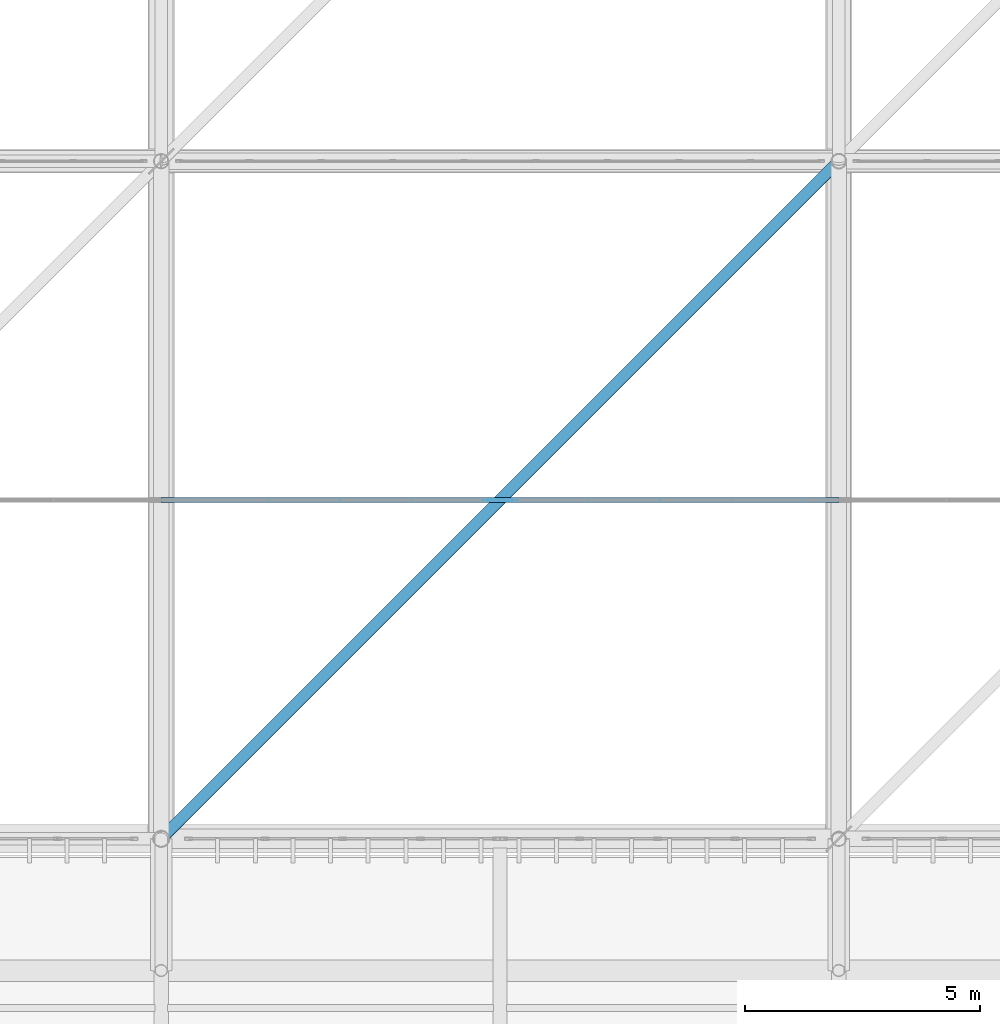
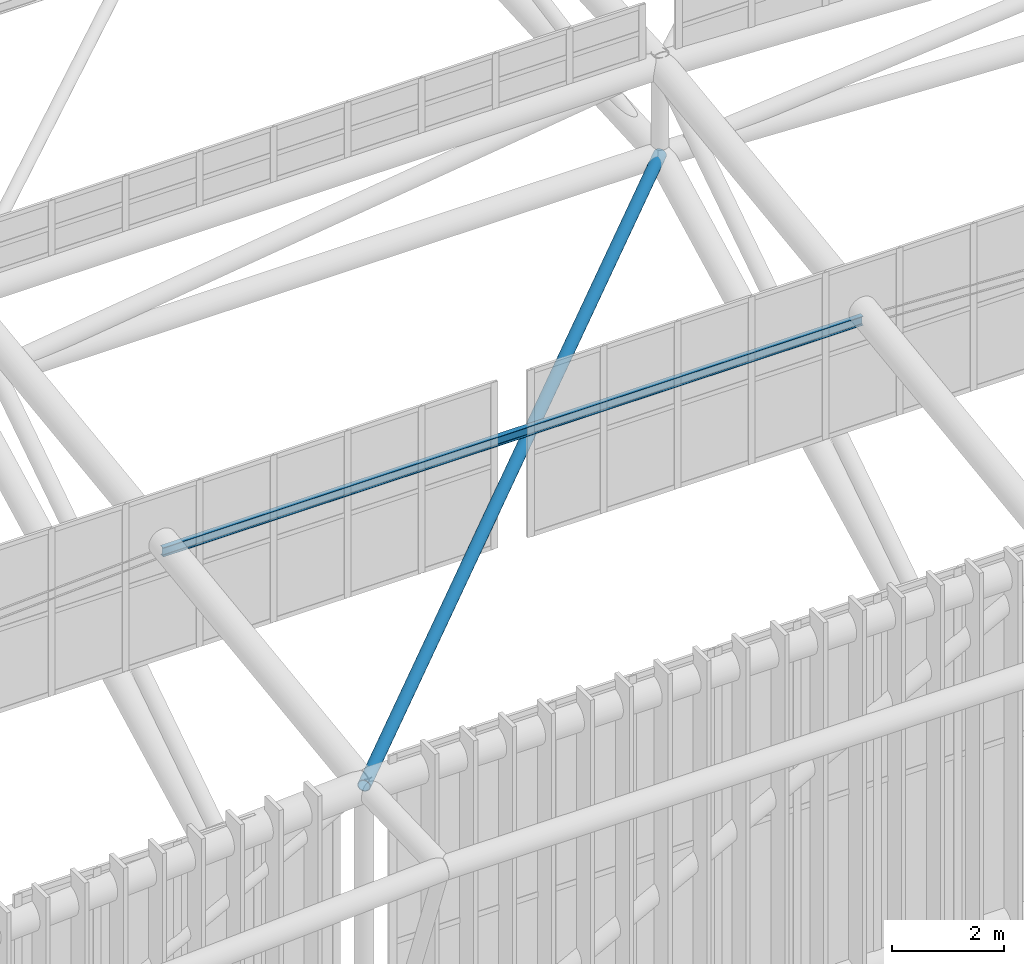
# One storey, part 88 of 397: 2 members.
"""IFC4 building model written with IfcOpenShell, lengths in metres."""

import ifcopenshell
import ifcopenshell.guid

model = None  # the IFC model being written
_history = None  # IfcOwnerHistory: only IFC2X3 demands one
_inside = {}  # id of a spatial element -> (the spatial element, [elements in it])
_under = {}  # id of a project, library or spatial element -> (it, [spatial elements below it])
_declared = {}  # id of a project -> (the project, [libraries it declares])
_typed = {}  # id of a type object -> (the type object, [elements of that type])
_made_of = {}  # id of a material, layer set ... -> (it, [elements and type objects made of it])


def new_model(schema):
    """Start an empty IFC model of exactly this schema.

    Asked for "IFC4X3", IfcOpenShell would pick the latest addendum, in which some entities
    have other attributes; the version numbers below select the first issue.
    IFC2X3 requires an IfcOwnerHistory on every rooted entity: one is made here for all.
    """
    global model, _history
    if schema == "IFC4X3":
        model = ifcopenshell.file(schema_version=(4, 3, 0, 0))
    else:
        model = ifcopenshell.file(schema=schema)
    _inside.clear()
    _under.clear()
    _declared.clear()
    _typed.clear()
    _made_of.clear()
    _history = None
    if model.schema == "IFC2X3":
        org = make("IfcOrganization", Name="unknown")
        user = make(
            "IfcPersonAndOrganization",
            ThePerson=make("IfcPerson", FamilyName="unknown"),
            TheOrganization=org,
        )
        app = make(
            "IfcApplication",
            ApplicationDeveloper=org,
            Version="unknown",
            ApplicationFullName="unknown",
            ApplicationIdentifier="unknown",
        )
        _history = make(
            "IfcOwnerHistory",
            OwningUser=user,
            OwningApplication=app,
            ChangeAction="ADDED",
            CreationDate=0,
        )
    return model


def make(cls, **values):
    """One entity of the class cls with the attributes given. An attribute that is None is left unset."""
    return model.create_entity(
        cls, **{name: value for name, value in values.items() if value is not None}
    )


def rooted(cls, **values):
    """An entity with a GlobalId (a new one), such as an element, a storey or a relation."""
    return make(cls, GlobalId=ifcopenshell.guid.new(), OwnerHistory=_history, **values)


def si_unit(unit_type, name, prefix=None):
    """IfcSIUnit, for example si_unit("LENGTHUNIT", "METRE", prefix="MILLI")."""
    return make("IfcSIUnit", UnitType=unit_type, Prefix=prefix, Name=name)


def assignment(units):
    """IfcUnitAssignment: the units of a project."""
    return None if units is None else make("IfcUnitAssignment", Units=units)


def point(xyz):
    """IfcCartesianPoint."""
    return None if xyz is None else make("IfcCartesianPoint", Coordinates=xyz)


def direction(xyz):
    """IfcDirection."""
    return None if xyz is None else make("IfcDirection", DirectionRatios=xyz)


def frame(location, z_axis=None, x_axis=None):
    """IfcAxis2Placement3D, a coordinate frame: its origin and axes. An axis left out is left unset."""
    return make(
        "IfcAxis2Placement3D",
        Location=point(location),
        Axis=direction(z_axis),
        RefDirection=direction(x_axis),
    )


def frame_2d(location, x_axis=None):
    """IfcAxis2Placement2D, a coordinate frame in the plane: its origin and x axis."""
    return make(
        "IfcAxis2Placement2D", Location=point(location), RefDirection=direction(x_axis)
    )


def origin():
    """The frame at (0, 0, 0) with its axes left unset."""
    return frame((0.0, 0.0, 0.0))


def origin_2d():
    """The frame at (0, 0) in the plane with its x axis left unset."""
    return frame_2d((0.0, 0.0))


def place(relative_to, where):
    """IfcLocalPlacement: puts the frame where relative to a parent placement (None: the world)."""
    return make(
        "IfcLocalPlacement", PlacementRelTo=relative_to, RelativePlacement=where
    )


def context(
    kind, dimensions, precision=None, world=None, true_north=None, identifier=None
):
    """IfcGeometricRepresentationContext, for example the 3D "Model" context."""
    return make(
        "IfcGeometricRepresentationContext",
        ContextIdentifier=identifier,
        ContextType=kind,
        CoordinateSpaceDimension=dimensions,
        Precision=precision,
        WorldCoordinateSystem=world,
        TrueNorth=true_north,
    )


def subcontext(parent, identifier, kind, view, scale=None):
    """IfcGeometricRepresentationSubContext, for example "Body" below "Model"."""
    return make(
        "IfcGeometricRepresentationSubContext",
        ContextIdentifier=identifier,
        ContextType=kind,
        ParentContext=parent,
        TargetScale=scale,
        TargetView=view,
    )


def project(units=None, contexts=None):
    """IfcProject with its units and contexts."""
    return rooted(
        "IfcProject",
        Name="project",
        RepresentationContexts=contexts,
        UnitsInContext=assignment(units),
    )


def spatial(cls, under=None, at=None, **own):
    """A site, building, storey or space (cls), placed at a placement, below another one or the project."""
    s = rooted(cls, ObjectPlacement=at, **own)
    if under is not None:
        _under.setdefault(under.id(), (under, []))[1].append(s)
    return s


def profile(cls, at=None, kind="AREA", **sizes):
    """A parametric profile (cls). Its sizes go by their IFC names, for example OverallWidth=200.0."""
    return make(cls, ProfileType=kind, Position=at, **sizes)


def hollow_circle(**sizes):
    """IfcCircleHollowProfileDef."""
    return profile("IfcCircleHollowProfileDef", **sizes)


def i_section(**sizes):
    """IfcIShapeProfileDef."""
    return profile("IfcIShapeProfileDef", **sizes)


def extrude(swept, where, along, depth):
    """IfcExtrudedAreaSolid: the profile swept, set in the frame where, extruded along a direction by depth."""
    return make(
        "IfcExtrudedAreaSolid",
        SweptArea=swept,
        Position=where,
        ExtrudedDirection=direction(along),
        Depth=depth,
    )


def shape(context_of_items, identifier, shape_type, items):
    """IfcShapeRepresentation: the items that make up one representation, for example the "Body"."""
    return make(
        "IfcShapeRepresentation",
        ContextOfItems=context_of_items,
        RepresentationIdentifier=identifier,
        RepresentationType=shape_type,
        Items=items,
    )


def material(Name=None, Category=None):
    """IfcMaterial."""
    return make("IfcMaterial", Name=Name, Category=Category)


def material_profile(
    of_material, cross_section, Name=None, Category=None, Priority=None
):
    """IfcMaterialProfile: a cross section and its material."""
    return make(
        "IfcMaterialProfile",
        Name=Name,
        Material=of_material,
        Profile=cross_section,
        Priority=Priority,
        Category=Category,
    )


def profile_set(profiles, Name=None, composite=None):
    """IfcMaterialProfileSet."""
    return make(
        "IfcMaterialProfileSet",
        Name=Name,
        MaterialProfiles=profiles,
        CompositeProfile=composite,
    )


def made_of(thing, what):
    """Note that an element or type object is made of a material, layer set ...; save() writes the relation."""
    if what is not None:
        _made_of.setdefault(what.id(), (what, []))[1].append(thing)
    return thing


def type_object(cls, material=None, **own):
    """A type object (cls), such as IfcWallType, which elements share."""
    return made_of(rooted(cls, **own), material)


def element(
    cls,
    number,
    at=None,
    inside=None,
    cuts=None,
    type_object=None,
    material=None,
    context=None,
    identifier="Body",
    shape_type=None,
    held_by="IfcProductDefinitionShape",
    body=None,
    shapes=None,
    **own,
):
    """One element of the class cls, such as IfcWall. Its Tag is "e" and its number.

    at: its placement. inside: the storey or other place that contains it. cuts: it is an
    opening in that element (IfcRelVoidsElement). A single representation is given by context,
    identifier, shape_type and body (its items); several are given by shapes. held_by: the class
    of the entity that holds the representations. save() writes the other relations.
    """
    e = rooted(cls, Tag="e%d" % number, ObjectPlacement=at, **own)
    if body is not None:
        shapes = [shape(context, identifier, shape_type, body)]
    if shapes is not None:
        e.Representation = make(held_by, Representations=shapes)
    if inside is not None:
        _inside.setdefault(inside.id(), (inside, []))[1].append(e)
    if cuts is not None:
        rooted(
            "IfcRelVoidsElement", RelatingBuildingElement=cuts, RelatedOpeningElement=e
        )
    if type_object is not None:
        _typed.setdefault(type_object.id(), (type_object, []))[1].append(e)
    return made_of(e, material)


def aggregate(whole, parts):
    """IfcRelAggregates: a whole, such as a stair, and the parts it consists of."""
    return rooted("IfcRelAggregates", RelatingObject=whole, RelatedObjects=parts)


def save(model, path):
    """Write the relations noted so far, then the file.

    IfcRelAggregates (storeys below a building ...), IfcRelContainedInSpatialStructure (elements
    in a storey), IfcRelDefinesByType, IfcRelAssociatesMaterial and IfcRelDeclares: one each for
    every whole, place, type object, material and project.
    """
    for whole, parts in _under.values():
        aggregate(whole, parts)
    for where, things in _inside.values():
        rooted(
            "IfcRelContainedInSpatialStructure",
            RelatedElements=things,
            RelatingStructure=where,
        )
    for kind, things in _typed.values():
        rooted("IfcRelDefinesByType", RelatedObjects=things, RelatingType=kind)
    for what, things in _made_of.values():
        rooted("IfcRelAssociatesMaterial", RelatedObjects=things, RelatingMaterial=what)
    for by, libraries in _declared.values():
        rooted("IfcRelDeclares", RelatingContext=by, RelatedDefinitions=libraries)
    model.write(path)


model = new_model("IFC4")

# Units and contexts
model_context = context("Model", 3, precision=1e-05, world=origin(), true_north=direction((0.0, 1.0)))
body_context = subcontext(model_context, "Body", "Model", "MODEL_VIEW")
ifc_project = project(units=[si_unit("LENGTHUNIT", "METRE"), si_unit("AREAUNIT", "SQUARE_METRE"), si_unit("VOLUMEUNIT", "CUBIC_METRE"), si_unit("PLANEANGLEUNIT", "RADIAN"), si_unit("MASSUNIT", "GRAM", prefix="KILO")], contexts=[model_context])

# Site, building, storey
site_placement = place(None, origin())
site = spatial("IfcSite", under=ifc_project, at=site_placement, CompositionType="ELEMENT")
building_placement = place(site_placement, origin())
building = spatial("IfcBuilding", under=site, at=building_placement, Name="Qandorah Velis Arena", CompositionType="ELEMENT")
storey_placement = place(building_placement, frame((0.0, 0.0, 27.5)))
storey = spatial("IfcBuildingStorey", under=building, at=storey_placement, Name="RF", CompositionType="ELEMENT", Elevation=27.5)

# Members
ifc_material = material(Name="Steel S355", Category="steel")
ifc_material_profile_1 = material_profile(ifc_material, i_section(OverallWidth=0.10009765625, OverallDepth=0.199951171875, WebThickness=0.005615234375, FlangeThickness=0.008544921875, FilletRadius=0.011962890625, at=origin_2d()), Name="IPE 200")
ifc_profile_set_1 = profile_set([ifc_material_profile_1], Name="Steel S355")
member_type_1 = type_object("IfcMemberType", Name="STR-PRL-IPE200", PredefinedType="PURLIN", material=ifc_profile_set_1)
member_1_placement = place(storey_placement, frame((57.60009765625, 21.60009765625, 8.389404296875), z_axis=(1.0, 0.0, 0.0), x_axis=(0.0, 1.0, 0.0)))
element("IfcMember", 1, at=member_1_placement, inside=storey, type_object=member_type_1, Name="Arena roof purlin PRL-3.0", PredefinedType="PURLIN", context=body_context, shape_type="SweptSolid", body=[
    extrude(i_section(OverallWidth=0.10009765625, OverallDepth=0.199951171875, WebThickness=0.005615234375, FlangeThickness=0.008544921875, FilletRadius=0.011962890625, at=origin_2d()), origin(), (0.0, 0.0, 1.0), 14.39990234375),
])
ifc_material_profile_2 = material_profile(ifc_material, hollow_circle(Radius=0.122314453125, WallThickness=0.012451171875, at=origin_2d()), Name="CHS 244.5x12.5")
ifc_profile_set_2 = profile_set([ifc_material_profile_2], Name="Steel S355")
member_type_2 = type_object("IfcMemberType", Name="STR-SFD-CHS244X12", PredefinedType="STRUT", material=ifc_profile_set_2)
member_2_placement = place(storey_placement, frame((72.0, 28.800048828125, 7.61328125), z_axis=(-0.707099248543, -0.707111236933, 0.002085979947), x_axis=(0.707112775369, -0.707100786953, 0.0)))
element("IfcMember", 2, at=member_2_placement, inside=storey, type_object=member_type_2, Name="Space frame roof spatial diagonal 3.0", PredefinedType="STRUT", context=body_context, shape_type="SweptSolid", body=[
    extrude(hollow_circle(Radius=0.122314453125, WallThickness=0.012451171875, at=origin_2d()), origin(), (0.0, 0.0, 1.0), 20.36474609375),
])

save(model, "model.ifc")
